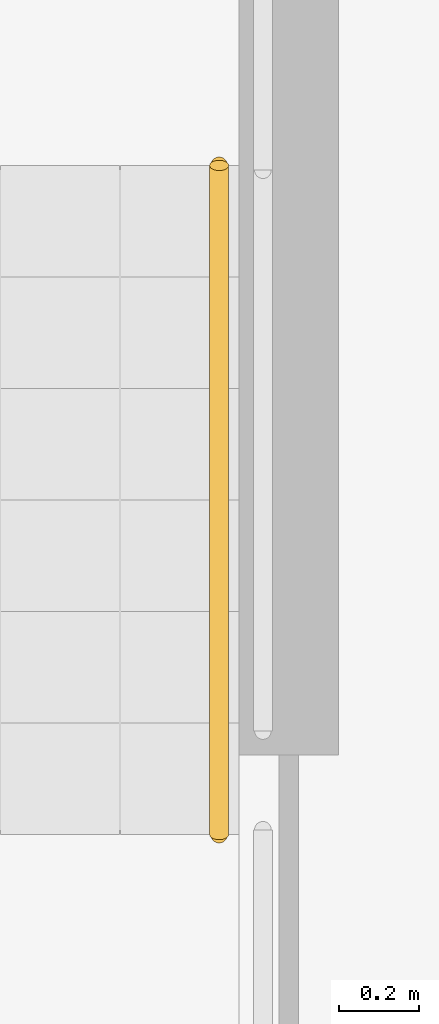
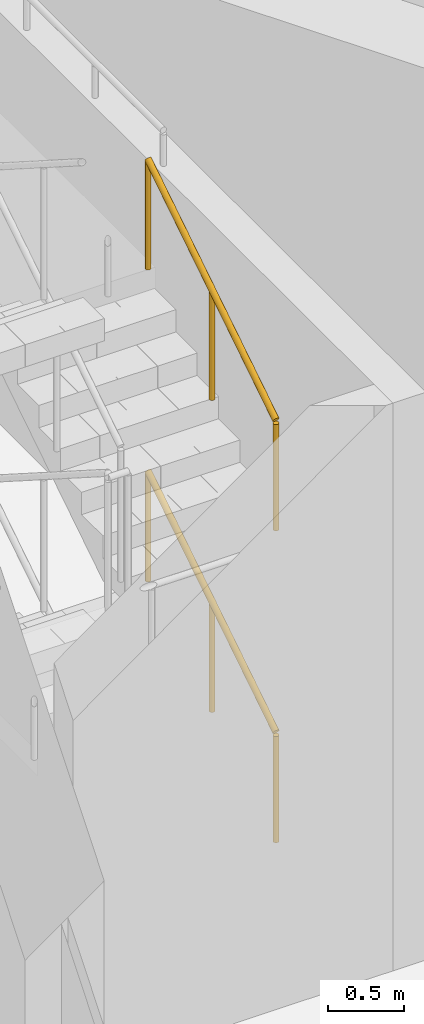
# One storey, part 13 of 13: 2 railings.
"""IFC4 building model written with IfcOpenShell, lengths in metres."""

from ifc_helpers import new_model, si_unit, direction, frame, origin, origin_2d, place, context, subcontext, project, spatial, circle, extrude, material, type_object, element, save


model = new_model("IFC4")

# Units and contexts
model_context = context("Model", 3, precision=1e-05, world=origin(), true_north=direction((0.0, 1.0)))
body_context = subcontext(model_context, "Body", "Model", "MODEL_VIEW")
ifc_project = project(units=[si_unit("LENGTHUNIT", "METRE"), si_unit("AREAUNIT", "SQUARE_METRE"), si_unit("VOLUMEUNIT", "CUBIC_METRE"), si_unit("PLANEANGLEUNIT", "RADIAN"), si_unit("MASSUNIT", "GRAM", prefix="KILO")], contexts=[model_context])

# Site, building, storey
site_placement = place(None, origin())
site = spatial("IfcSite", under=ifc_project, at=site_placement, CompositionType="ELEMENT")
building_placement = place(site_placement, origin())
building = spatial("IfcBuilding", under=site, at=building_placement, Name="Cantera Rosa Tower", CompositionType="ELEMENT")
storey_placement = place(building_placement, frame((0.0, 0.0, 355.699951171875)))
storey = spatial("IfcBuildingStorey", under=building, at=storey_placement, Name="L80", CompositionType="ELEMENT", Elevation=355.699951171875)

# Railings
ifc_material = material(Name="Steel S355J2 (EN 10025-2)", Category="steel")
railing_type = type_object("IfcRailingType", Name="STAIR HANDRAIL 900", PredefinedType="HANDRAIL", material=ifc_material)
for number, where, name in (
    (1, (7.10009765625, 1.449951171875, 0.1787109375), "L80 ST-72 stair handrail 1"),
    (2, (7.10009765625, 1.449951171875, 2.6787109375), "L80 ST-72 stair handrail 3"),
):
    element("IfcRailing", number, at=place(storey_placement, frame(where)), inside=storey, type_object=railing_type, Name=name, PredefinedType="HANDRAIL", context=body_context, shape_type="SweptSolid", body=[
        extrude(circle(Radius=0.02392578125, at=origin_2d()), frame((0.0, 0.0, 0.8759765625), z_axis=(0.0, 0.843151513386, 0.53767604138), x_axis=(-1.0, 0.0, 0.0)), (0.0, 0.0, 1.0), 1.992431640625),
        extrude(circle(Radius=0.02099609375, at=origin_2d()), origin(), (0.0, 0.0, 1.0), 0.851806640625),
        extrude(circle(Radius=0.02099609375, at=origin_2d()), frame((0.0, 0.83984375, 0.53564453125)), (0.0, 0.0, 1.0), 0.851806640625),
        extrude(circle(Radius=0.02099609375, at=origin_2d()), frame((0.0, 1.679931640625, 1.0712890625)), (0.0, 0.0, 1.0), 0.851806640625),
    ])

save(model, "model.ifc")
